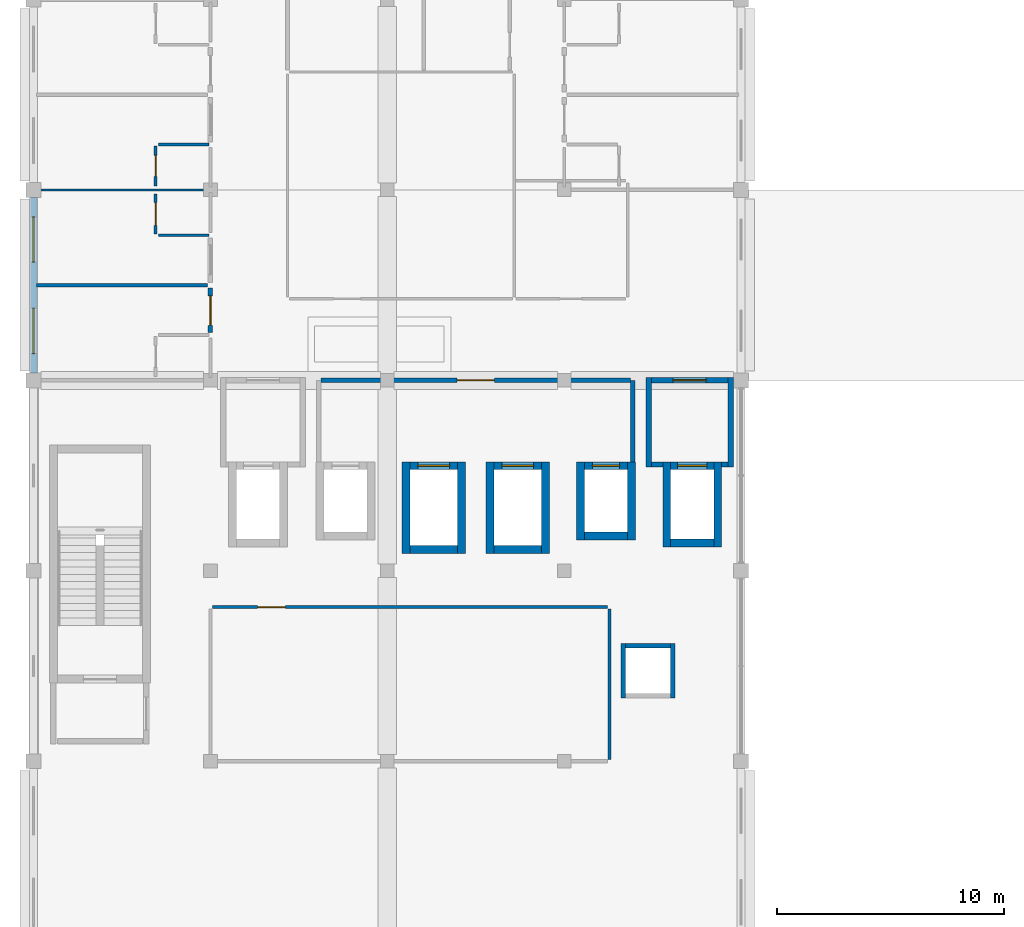
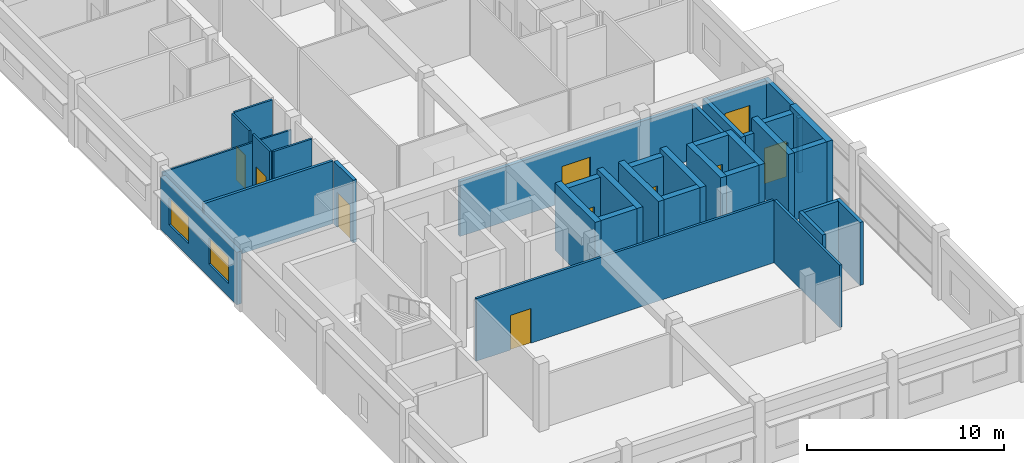
# One storey, part 14 of 32: 36 walls, 10 doors, 2 windows, 12 openings.
"""IFC4 building model written with IfcOpenShell, lengths in metres."""

from ifc_helpers import new_model, si_unit, direction, frame, frame_2d, origin, place, context, subcontext, project, spatial, rectangle, extrude, material, layer, layer_set, type_object, element, fill, save


model = new_model("IFC4")

# Units and contexts
model_context = context("Model", 3, precision=1e-05, world=origin(), true_north=direction((0.0, 1.0)))
body_context = subcontext(model_context, "Body", "Model", "MODEL_VIEW")
ifc_project = project(units=[si_unit("LENGTHUNIT", "METRE"), si_unit("AREAUNIT", "SQUARE_METRE"), si_unit("VOLUMEUNIT", "CUBIC_METRE"), si_unit("PLANEANGLEUNIT", "RADIAN"), si_unit("MASSUNIT", "GRAM", prefix="KILO"), si_unit("THERMODYNAMICTEMPERATUREUNIT", "KELVIN"), si_unit("POWERUNIT", "WATT")], contexts=[model_context])

# Site, building, storey
site_placement = place(None, origin())
site = spatial("IfcSite", under=ifc_project, at=site_placement, CompositionType="ELEMENT")
building_placement = place(site_placement, origin())
building = spatial("IfcBuilding", under=site, at=building_placement, Name="Srebrne Nadtorze General Hospital", CompositionType="ELEMENT")
storey_placement = place(building_placement, frame((0.0, 0.0, 29.699951171875)))
storey = spatial("IfcBuildingStorey", under=building, at=storey_placement, Name="L07", CompositionType="ELEMENT", Elevation=29.699951171875)

# Wall, opening, door
ifc_material_1 = material(Name="Gypsum Healthcare Partition")
ifc_layer_1 = layer(ifc_material_1, 0.139892578125)
ifc_layer_set_1 = layer_set([ifc_layer_1], Name="Gypsum Healthcare Partition")
wall_type_1 = type_object("IfcWallType", Name="Clinical partition 140", PredefinedType="PARTITIONING", material=ifc_layer_set_1)
wall_1_placement = place(storey_placement, frame((31.284912109375, 40.39990234375, 0.0), z_axis=(0.0, 0.0, 1.0), x_axis=(1.0, 0.0, 0.0)))
wall_1 = element("IfcWall", 1, at=wall_1_placement, inside=storey, type_object=wall_type_1, Name="Ward Procedure and Day Lounge wall WL-INT-L07-2436", PredefinedType="PARTITIONING", context=body_context, shape_type="SweptSolid", body=[
    extrude(rectangle(XDim=17.43017578125, YDim=0.139892578125, at=frame_2d((8.715087890625, 0.0))), origin(), (0.0, 0.0, 1.0), 3.880126953125),
])
opening_1_placement = place(wall_1_placement, frame((1.99560546875, 0.0, 0.0)))
opening_1 = element("IfcOpeningElement", 2, at=opening_1_placement, cuts=wall_1, Name="Opening D-L07-0562", PredefinedType="OPENING", context=body_context, shape_type="SweptSolid", body=[
    extrude(rectangle(XDim=1.219970703125, YDim=2.14990234375, at=frame_2d((0.60986328125, 1.074951171875))), frame((0.0, 0.08203125, 0.0), z_axis=(0.0, -1.0, 0.0), x_axis=(1.0, 0.0, 0.0)), (0.0, 0.0, 1.0), 0.163818359375),
])
ifc_material_2 = material(Name="Anodised Aluminium", Category="aluminium")
door_type_1 = type_object("IfcDoorType", Name="Single leaf door 1220x2150", OperationType="NOTDEFINED", PredefinedType="DOOR", material=ifc_material_2)
door_1_placement = place(opening_1_placement, frame((1.219970703125, 0.0, 0.0), z_axis=(0.0, 0.0, 1.0), x_axis=(-1.0, 0.0, 0.0)))
door_1 = element("IfcDoor", 3, at=door_1_placement, inside=storey, type_object=door_type_1, Name="Ward Procedure and Day Lounge door D-L07-0562", OperationType="SINGLE_SWING_RIGHT", OverallHeight=2.14990234375, OverallWidth=1.219970703125, PredefinedType="DOOR", context=body_context, shape_type="SweptSolid", body=[
    extrude(rectangle(XDim=1.219970703125, YDim=2.14990234375, at=frame_2d((0.60986328125, 1.074951171875))), frame((0.0, 0.02490234375, 0.0), z_axis=(0.0, -1.0, 0.0), x_axis=(1.0, 0.0, 0.0)), (0.0, 0.0, 1.0), 0.050048828125),
])
fill(opening_1, door_1)

# Walls
wall_2_placement = place(storey_placement, frame((48.800048828125, 33.68505859375, 0.0), z_axis=(0.0, 0.0, 1.0), x_axis=(0.0, 1.0, 0.0)))
element("IfcWall", 4, at=wall_2_placement, inside=storey, type_object=wall_type_1, Name="Ward Procedure and Day Lounge wall WL-INT-L07-2439", PredefinedType="PARTITIONING", context=body_context, shape_type="SweptSolid", body=[
    extrude(rectangle(XDim=6.6298828125, YDim=0.139892578125, at=frame_2d((3.31494140625, 0.0))), origin(), (0.0, 0.0, 1.0), 3.880126953125),
])
ifc_material_3 = material(Name="Gypsum Healthcare Partition")
ifc_layer_2 = layer(ifc_material_3, 0.159912109375)
ifc_layer_set_2 = layer_set([ifc_layer_2], Name="Gypsum Healthcare Partition")
wall_type_2 = type_object("IfcWallType", Name="Clinical partition 160", PredefinedType="PARTITIONING", material=ifc_layer_set_2)
wall_3_placement = place(storey_placement, frame((23.52001953125, 54.60009765625, 0.0), z_axis=(0.0, 0.0, 1.0), x_axis=(1.0, 0.0, 0.0)))
element("IfcWall", 5, at=wall_3_placement, inside=storey, type_object=wall_type_2, Name="Ward inter-room partition WL-INT-L07-2279", PredefinedType="PARTITIONING", context=body_context, shape_type="SweptSolid", body=[
    extrude(rectangle(XDim=7.56005859375, YDim=0.159912109375, at=frame_2d((3.780029296875, 0.0))), origin(), (0.0, 0.0, 1.0), 3.880126953125),
])
ifc_material_4 = material(Name="Gypsum Healthcare Partition")
ifc_layer_3 = layer(ifc_material_4, 0.199951171875)
ifc_layer_set_3 = layer_set([ifc_layer_3], Name="Gypsum Healthcare Partition")
wall_type_3 = type_object("IfcWallType", Name="Compartment wall 200", PredefinedType="STANDARD", material=ifc_layer_set_3)
wall_4_placement = place(storey_placement, frame((49.820068359375, 46.81005859375, 0.0), z_axis=(0.0, 0.0, 1.0), x_axis=(0.0, 1.0, 0.0)))
element("IfcWall", 6, at=wall_4_placement, inside=storey, type_object=wall_type_3, Name="Lift lobby side wall WL-INT-L07-1157", PredefinedType="STANDARD", context=body_context, shape_type="SweptSolid", body=[
    extrude(rectangle(XDim=3.58984375, YDim=0.199951171875, at=frame_2d((1.794921875, 0.0))), origin(), (0.0, 0.0, 1.0), 3.400146484375),
])

# Wall, opening, door
wall_5_placement = place(storey_placement, frame((36.080078125, 50.39990234375, 0.0), z_axis=(0.0, 0.0, 1.0), x_axis=(1.0, 0.0, 0.0)))
wall_5 = element("IfcWall", 7, at=wall_5_placement, inside=storey, type_object=wall_type_3, Name="Lift lobby corridor wall WL-INT-L07-1158", PredefinedType="STANDARD", context=body_context, shape_type="SweptSolid", body=[
    extrude(rectangle(XDim=13.639892578125, YDim=0.199951171875, at=frame_2d((6.81982421875, 0.0))), origin(), (0.0, 0.0, 1.0), 3.400146484375),
])
opening_2_placement = place(wall_5_placement, frame((5.9951171875, 0.0, 0.0)))
opening_2 = element("IfcOpeningElement", 8, at=opening_2_placement, cuts=wall_5, Name="Opening D-L07-0159", PredefinedType="OPENING", context=body_context, shape_type="SweptSolid", body=[
    extrude(rectangle(XDim=1.64990234375, YDim=2.25, at=frame_2d((0.824951171875, 1.125))), frame((0.0, 0.11181640625, 0.0), z_axis=(0.0, -1.0, 0.0), x_axis=(1.0, 0.0, 0.0)), (0.0, 0.0, 1.0), 0.223876953125),
])
ifc_material_5 = material(Name="Anodised Aluminium", Category="aluminium")
door_type_2 = type_object("IfcDoorType", Name="Double leaf door 1650x2250", OperationType="DOUBLE_DOOR_SINGLE_SWING", PredefinedType="DOOR", material=ifc_material_5)
door_2_placement = place(opening_2_placement, origin())
door_2 = element("IfcDoor", 9, at=door_2_placement, inside=storey, type_object=door_type_2, Name="Lift lobby corridor door D-L07-0159", OperationType="DOUBLE_DOOR_SINGLE_SWING", OverallHeight=2.25, OverallWidth=1.64990234375, PredefinedType="DOOR", context=body_context, shape_type="SweptSolid", body=[
    extrude(rectangle(XDim=1.64990234375, YDim=2.25, at=frame_2d((0.824951171875, 1.125))), frame((0.0, 0.02490234375, 0.0), z_axis=(0.0, -1.0, 0.0), x_axis=(1.0, 0.0, 0.0)), (0.0, 0.0, 1.0), 0.050048828125),
])
fill(opening_2, door_2)

# Walls
for number, where, z_axis, x_axis, name in (
    (10, (49.39990234375, 36.39990234375, 0.0), (0.0, 0.0, 1.0), (0.0, 1.0, 0.0), "MEP riser wall WL-INT-L07-1167"),
    (11, (51.60009765625, 36.39990234375, 0.0), (0.0, 0.0, 1.0), (0.0, 1.0, 0.0), "MEP riser wall WL-INT-L07-1168"),
):
    element("IfcWall", number, at=place(storey_placement, frame(where, z_axis=z_axis, x_axis=x_axis)), inside=storey, type_object=wall_type_3, Name=name, PredefinedType="STANDARD", context=body_context, shape_type="SweptSolid", body=[
        extrude(rectangle(XDim=2.400146484375, YDim=0.199951171875, at=frame_2d((1.2001953125, 0.0))), origin(), (0.0, 0.0, 1.0), 3.900146484375),
    ])
wall_6_placement = place(storey_placement, frame((49.5, 38.699951171875, 0.0), z_axis=(0.0, 0.0, 1.0), x_axis=(1.0, 0.0, 0.0)))
element("IfcWall", 12, at=wall_6_placement, inside=storey, type_object=wall_type_3, Name="MEP riser wall WL-INT-L07-1170", PredefinedType="STANDARD", context=body_context, shape_type="SweptSolid", body=[
    extrude(rectangle(XDim=2.0, YDim=0.199951171875, at=frame_2d((1.0, 0.0))), origin(), (0.0, 0.0, 1.0), 3.900146484375),
])

# Wall, opening, door
wall_7_placement = place(storey_placement, frame((31.199951171875, 52.52001953125, 0.0), z_axis=(0.0, 0.0, 1.0), x_axis=(0.0, 1.0, 0.0)))
wall_7 = element("IfcWall", 13, at=wall_7_placement, inside=storey, type_object=wall_type_3, Name="Ward corridor wall WL-INT-L07-2280", PredefinedType="STANDARD", context=body_context, shape_type="SweptSolid", body=[
    extrude(rectangle(XDim=1.9599609375, YDim=0.199951171875, at=frame_2d((0.97998046875, 0.0))), origin(), (0.0, 0.0, 1.0), 3.880126953125),
])
opening_3_placement = place(wall_7_placement, frame((0.304931640625, 0.0, 0.0)))
opening_3 = element("IfcOpeningElement", 14, at=opening_3_placement, cuts=wall_7, Name="Opening D-L07-0501", PredefinedType="OPENING", context=body_context, shape_type="SweptSolid", body=[
    extrude(rectangle(XDim=1.300048828125, YDim=2.14990234375, at=frame_2d((0.64990234375, 1.074951171875))), frame((0.0, 0.11181640625, 0.0), z_axis=(0.0, -1.0, 0.0), x_axis=(1.0, 0.0, 0.0)), (0.0, 0.0, 1.0), 0.223876953125),
])
ifc_material_6 = material(Name="Anodised Aluminium", Category="aluminium")
door_type_3 = type_object("IfcDoorType", Name="Single leaf door 1300x2150", OperationType="NOTDEFINED", PredefinedType="DOOR", material=ifc_material_6)
door_3_placement = place(opening_3_placement, origin())
door_3 = element("IfcDoor", 15, at=door_3_placement, inside=storey, type_object=door_type_3, Name="Ward patient room door D-L07-0501", OperationType="SINGLE_SWING_RIGHT", OverallHeight=2.14990234375, OverallWidth=1.300048828125, PredefinedType="DOOR", context=body_context, shape_type="SweptSolid", body=[
    extrude(rectangle(XDim=1.300048828125, YDim=2.14990234375, at=frame_2d((0.64990234375, 1.074951171875))), frame((0.0, 0.02490234375, 0.0), z_axis=(0.0, -1.0, 0.0), x_axis=(1.0, 0.0, 0.0)), (0.0, 0.0, 1.0), 0.050048828125),
])
fill(opening_3, door_3)

# Walls
ifc_material_7 = material(Name="Gypsum Healthcare Partition")
ifc_layer_4 = layer(ifc_material_7, 0.239990234375)
ifc_layer_set_4 = layer_set([ifc_layer_4], Name="Gypsum Healthcare Partition")
wall_type_4 = type_object("IfcWallType", Name="Corridor fire wall 240", PredefinedType="STANDARD", material=ifc_layer_set_4)
for number, where, z_axis, x_axis, name in (
    (16, (50.530029296875, 46.570068359375, 0.0), (0.0, 0.0, 1.0), (0.0, 1.0, 0.0), "FF lift lobby wall WL-INT-L07-1151"),
    (17, (54.139892578125, 46.570068359375, 0.0), (0.0, 0.0, 1.0), (0.0, 1.0, 0.0), "FF lift lobby wall WL-INT-L07-1152"),
):
    element("IfcWall", number, at=place(storey_placement, frame(where, z_axis=z_axis, x_axis=x_axis)), inside=storey, type_object=wall_type_4, Name=name, PredefinedType="STANDARD", context=body_context, shape_type="SweptSolid", body=[
        extrude(rectangle(XDim=3.949951171875, YDim=0.239990234375, at=frame_2d((1.97509765625, 0.0))), origin(), (0.0, 0.0, 1.0), 3.400146484375),
    ])
wall_8_placement = place(storey_placement, frame((50.64990234375, 46.68994140625, 0.0), z_axis=(0.0, 0.0, 1.0), x_axis=(1.0, 0.0, 0.0)))
element("IfcWall", 18, at=wall_8_placement, inside=storey, type_object=wall_type_4, Name="FF lift lobby return wall WL-INT-L07-1153", PredefinedType="STANDARD", context=body_context, shape_type="SweptSolid", body=[
    extrude(rectangle(XDim=0.5, YDim=0.239990234375, at=frame_2d((0.25, 0.0))), origin(), (0.0, 0.0, 1.0), 3.400146484375),
])
wall_9_placement = place(storey_placement, frame((53.75, 46.68994140625, 0.0), z_axis=(0.0, 0.0, 1.0), x_axis=(1.0, 0.0, 0.0)))
element("IfcWall", 19, at=wall_9_placement, inside=storey, type_object=wall_type_4, Name="FF lift lobby return wall WL-INT-L07-1154", PredefinedType="STANDARD", context=body_context, shape_type="SweptSolid", body=[
    extrude(rectangle(XDim=0.27001953125, YDim=0.239990234375, at=frame_2d((0.135009765625, 0.0))), origin(), (0.0, 0.0, 1.0), 3.400146484375),
])

# Wall, opening, door
wall_10_placement = place(storey_placement, frame((50.64990234375, 50.39990234375, 0.0), z_axis=(0.0, 0.0, 1.0), x_axis=(1.0, 0.0, 0.0)))
wall_10 = element("IfcWall", 20, at=wall_10_placement, inside=storey, type_object=wall_type_4, Name="FF lift lobby front wall WL-INT-L07-1155", PredefinedType="STANDARD", context=body_context, shape_type="SweptSolid", body=[
    extrude(rectangle(XDim=3.3701171875, YDim=0.239990234375, at=frame_2d((1.68505859375, 0.0))), origin(), (0.0, 0.0, 1.0), 3.400146484375),
])
opening_4_placement = place(wall_10_placement, frame((0.9599609375, 0.0, 0.0)))
opening_4 = element("IfcOpeningElement", 21, at=opening_4_placement, cuts=wall_10, Name="Opening D-L07-0158", PredefinedType="OPENING", context=body_context, shape_type="SweptSolid", body=[
    extrude(rectangle(XDim=1.449951171875, YDim=2.199951171875, at=frame_2d((0.72509765625, 1.10009765625))), frame((0.0, 0.1318359375, 0.0), z_axis=(0.0, -1.0, 0.0), x_axis=(1.0, 0.0, 0.0)), (0.0, 0.0, 1.0), 0.263916015625),
])
ifc_material_8 = material(Name="Anodised Aluminium", Category="aluminium")
door_type_4 = type_object("IfcDoorType", Name="Double leaf door 1450x2200", OperationType="DOUBLE_DOOR_SINGLE_SWING", PredefinedType="DOOR", material=ifc_material_8)
door_4_placement = place(opening_4_placement, origin())
door_4 = element("IfcDoor", 22, at=door_4_placement, inside=storey, type_object=door_type_4, Name="Firefighting lift lobby door D-L07-0158", OperationType="DOUBLE_DOOR_SINGLE_SWING", OverallHeight=2.199951171875, OverallWidth=1.449951171875, PredefinedType="DOOR", context=body_context, shape_type="SweptSolid", body=[
    extrude(rectangle(XDim=1.449951171875, YDim=2.199951171875, at=frame_2d((0.72509765625, 1.10009765625))), frame((0.0, 0.02490234375, 0.0), z_axis=(0.0, -1.0, 0.0), x_axis=(1.0, 0.0, 0.0)), (0.0, 0.0, 1.0), 0.050048828125),
])
fill(opening_4, door_4)

# Wall
ifc_material_9 = material(Name="Gypsum Healthcare Partition")
ifc_layer_5 = layer(ifc_material_9, 0.1201171875)
ifc_layer_set_5 = layer_set([ifc_layer_5], Name="Gypsum Healthcare Partition")
wall_type_5 = type_object("IfcWallType", Name="En-suite partition 120", PredefinedType="PARTITIONING", material=ifc_layer_set_5)
wall_11_placement = place(storey_placement, frame((28.89990234375, 56.800048828125, 0.0), z_axis=(0.0, 0.0, 1.0), x_axis=(1.0, 0.0, 0.0)))
element("IfcWall", 23, at=wall_11_placement, inside=storey, type_object=wall_type_5, Name="En-suite wet wall WL-INT-L07-2287", PredefinedType="PARTITIONING", context=body_context, shape_type="SweptSolid", body=[
    extrude(rectangle(XDim=2.239990234375, YDim=0.1201171875, at=frame_2d((1.1201171875, 0.0))), origin(), (0.0, 0.0, 1.0), 3.880126953125),
])

# Wall, opening, door
wall_12_placement = place(storey_placement, frame((28.780029296875, 56.860107421875, 0.0), z_axis=(0.0, 0.0, 1.0), x_axis=(0.0, 1.0, 0.0)))
wall_12 = element("IfcWall", 24, at=wall_12_placement, inside=storey, type_object=wall_type_5, Name="En-suite wet wall WL-INT-L07-2288", PredefinedType="PARTITIONING", context=body_context, shape_type="SweptSolid", body=[
    extrude(rectangle(XDim=1.760009765625, YDim=0.1201171875, at=frame_2d((0.8798828125, 0.0))), origin(), (0.0, 0.0, 1.0), 3.880126953125),
])
opening_5_placement = place(wall_12_placement, frame((0.3798828125, 0.0, 0.0)))
opening_5 = element("IfcOpeningElement", 25, at=opening_5_placement, cuts=wall_12, Name="Opening D-L07-0504", PredefinedType="OPENING", context=body_context, shape_type="SweptSolid", body=[
    extrude(rectangle(XDim=1.0, YDim=2.10009765625, at=frame_2d((0.5, 1.050048828125))), frame((0.0, 0.072021484375, 0.0), z_axis=(0.0, -1.0, 0.0), x_axis=(1.0, 0.0, 0.0)), (0.0, 0.0, 1.0), 0.14404296875),
])
ifc_material_10 = material(Name="Anodised Aluminium", Category="aluminium")
door_type_5 = type_object("IfcDoorType", Name="Single leaf door 1000x2100", OperationType="NOTDEFINED", PredefinedType="DOOR", material=ifc_material_10)
door_5_placement = place(opening_5_placement, frame((1.0, 0.0, 0.0), z_axis=(0.0, 0.0, 1.0), x_axis=(-1.0, 0.0, 0.0)))
door_5 = element("IfcDoor", 26, at=door_5_placement, inside=storey, type_object=door_type_5, Name="En-suite bathroom door D-L07-0504", OperationType="SINGLE_SWING_LEFT", OverallHeight=2.10009765625, OverallWidth=1.0, PredefinedType="DOOR", context=body_context, shape_type="SweptSolid", body=[
    extrude(rectangle(XDim=1.0, YDim=2.10009765625, at=frame_2d((0.5, 1.050048828125))), frame((0.0, 0.02490234375, 0.0), z_axis=(0.0, -1.0, 0.0), x_axis=(1.0, 0.0, 0.0)), (0.0, 0.0, 1.0), 0.050048828125),
])
fill(opening_5, door_5)

# Wall
wall_13_placement = place(storey_placement, frame((28.89990234375, 60.800048828125, 0.0), z_axis=(0.0, 0.0, 1.0), x_axis=(1.0, 0.0, 0.0)))
element("IfcWall", 27, at=wall_13_placement, inside=storey, type_object=wall_type_5, Name="En-suite wet wall WL-INT-L07-2292", PredefinedType="PARTITIONING", context=body_context, shape_type="SweptSolid", body=[
    extrude(rectangle(XDim=2.239990234375, YDim=0.1201171875, at=frame_2d((1.1201171875, 0.0))), origin(), (0.0, 0.0, 1.0), 3.880126953125),
])

# Wall, opening, door
wall_14_placement = place(storey_placement, frame((28.780029296875, 58.97998046875, 0.0), z_axis=(0.0, 0.0, 1.0), x_axis=(0.0, 1.0, 0.0)))
wall_14 = element("IfcWall", 28, at=wall_14_placement, inside=storey, type_object=wall_type_5, Name="En-suite wet wall WL-INT-L07-2293", PredefinedType="PARTITIONING", context=body_context, shape_type="SweptSolid", body=[
    extrude(rectangle(XDim=1.760009765625, YDim=0.1201171875, at=frame_2d((0.8798828125, 0.0))), origin(), (0.0, 0.0, 1.0), 3.880126953125),
])
opening_6_placement = place(wall_14_placement, frame((0.419921875, 0.0, 0.0)))
opening_6 = element("IfcOpeningElement", 29, at=opening_6_placement, cuts=wall_14, Name="Opening D-L07-0506", PredefinedType="OPENING", context=body_context, shape_type="SweptSolid", body=[
    extrude(rectangle(XDim=0.919921875, YDim=2.080078125, at=frame_2d((0.4599609375, 1.0400390625))), frame((0.0, 0.072021484375, 0.0), z_axis=(0.0, -1.0, 0.0), x_axis=(1.0, 0.0, 0.0)), (0.0, 0.0, 1.0), 0.14404296875),
])
ifc_material_11 = material(Name="Anodised Aluminium", Category="aluminium")
door_type_6 = type_object("IfcDoorType", Name="Single leaf door 920x2080", OperationType="NOTDEFINED", PredefinedType="DOOR", material=ifc_material_11)
door_6_placement = place(opening_6_placement, frame((0.919921875, 0.0, 0.0), z_axis=(0.0, 0.0, 1.0), x_axis=(-1.0, 0.0, 0.0)))
door_6 = element("IfcDoor", 30, at=door_6_placement, inside=storey, type_object=door_type_6, Name="En-suite bathroom door D-L07-0506", OperationType="SINGLE_SWING_LEFT", OverallHeight=2.080078125, OverallWidth=0.919921875, PredefinedType="DOOR", context=body_context, shape_type="SweptSolid", body=[
    extrude(rectangle(XDim=0.919921875, YDim=2.080078125, at=frame_2d((0.4599609375, 1.0400390625))), frame((0.0, 0.02490234375, 0.0), z_axis=(0.0, -1.0, 0.0), x_axis=(1.0, 0.0, 0.0)), (0.0, 0.0, 1.0), 0.050048828125),
])
fill(opening_6, door_6)

# Walls
ifc_material_12 = material(Name="Gypsum Healthcare Partition")
ifc_layer_6 = layer(ifc_material_12, 0.10009765625)
ifc_layer_set_6 = layer_set([ifc_layer_6], Name="Gypsum Healthcare Partition")
wall_type_6 = type_object("IfcWallType", Name="Shaft lining wall 100", PredefinedType="PARTITIONING", material=ifc_layer_set_6)
wall_15_placement = place(storey_placement, frame((23.52001953125, 58.800048828125, 0.0), z_axis=(0.0, 0.0, 1.0), x_axis=(1.0, 0.0, 0.0)))
element("IfcWall", 31, at=wall_15_placement, inside=storey, type_object=wall_type_6, Name="Ward inter-room partition WL-INT-L07-2284", PredefinedType="PARTITIONING", context=body_context, shape_type="SweptSolid", body=[
    extrude(rectangle(XDim=7.56005859375, YDim=0.10009765625, at=frame_2d((3.780029296875, 0.0))), origin(), (0.0, 0.0, 1.0), 3.25),
])
ifc_material_13 = material(Name="Concrete C40/50", Category="concrete")
ifc_layer_7 = layer(ifc_material_13, 0.35009765625)
ifc_layer_set_7 = layer_set([ifc_layer_7], Name="Concrete C40/50")
wall_type_7 = type_object("IfcWallType", Name="Shear core wall 350", PredefinedType="SHEAR", material=ifc_layer_set_7)
for number, where, z_axis, x_axis, name in (
    (32, (39.824951171875, 42.760009765625, 0.0), (0.0, 0.0, 1.0), (0.0, 1.0, 0.0), "Lift shaft wall LS-01 WL-INT-L07-0574"),
    (33, (42.27490234375, 42.760009765625, 0.0), (0.0, 0.0, 1.0), (0.0, 1.0, 0.0), "Lift shaft wall LS-01 WL-INT-L07-0575"),
):
    element("IfcWall", number, at=place(storey_placement, frame(where, z_axis=z_axis, x_axis=x_axis)), inside=storey, type_object=wall_type_7, Name=name, PredefinedType="SHEAR", context=body_context, shape_type="SweptSolid", body=[
        extrude(rectangle(XDim=4.050048828125, YDim=0.35009765625, at=frame_2d((2.02490234375, 0.0))), origin(), (0.0, 0.0, 1.0), 4.199951171875),
    ])
wall_16_placement = place(storey_placement, frame((40.0, 42.93505859375, 0.0), z_axis=(0.0, 0.0, 1.0), x_axis=(1.0, 0.0, 0.0)))
element("IfcWall", 34, at=wall_16_placement, inside=storey, type_object=wall_type_7, Name="Lift shaft back wall LS-01 WL-INT-L07-0576", PredefinedType="SHEAR", context=body_context, shape_type="SweptSolid", body=[
    extrude(rectangle(XDim=2.10009765625, YDim=0.35009765625, at=frame_2d((1.050048828125, 0.0))), origin(), (0.0, 0.0, 1.0), 4.199951171875),
])

# Wall, opening, door
wall_17_placement = place(storey_placement, frame((40.0, 46.635009765625, 0.0), z_axis=(0.0, 0.0, 1.0), x_axis=(1.0, 0.0, 0.0)))
wall_17 = element("IfcWall", 35, at=wall_17_placement, inside=storey, type_object=wall_type_7, Name="Lift shaft front wall LS-01 WL-INT-L07-0577", PredefinedType="SHEAR", context=body_context, shape_type="SweptSolid", body=[
    extrude(rectangle(XDim=2.10009765625, YDim=0.35009765625, at=frame_2d((1.050048828125, 0.0))), origin(), (0.0, 0.0, 1.0), 3.900146484375),
])
opening_7_placement = place(wall_17_placement, frame((0.35009765625, 0.0, 0.0)))
opening_7 = element("IfcOpeningElement", 36, at=opening_7_placement, cuts=wall_17, Name="Opening LD-L07-028", PredefinedType="OPENING", context=body_context, shape_type="SweptSolid", body=[
    extrude(rectangle(XDim=1.39990234375, YDim=2.199951171875, at=frame_2d((0.699951171875, 1.10009765625))), frame((0.0, 0.18701171875, 0.0), z_axis=(0.0, -1.0, 0.0), x_axis=(1.0, 0.0, 0.0)), (0.0, 0.0, 1.0), 0.3740234375),
])
ifc_material_14 = material(Name="Anodised Aluminium", Category="aluminium")
door_type_7 = type_object("IfcDoorType", Name="Sliding lift door 1400x2200", OperationType="SLIDING_TO_LEFT", PredefinedType="DOOR", material=ifc_material_14)
door_7_placement = place(opening_7_placement, origin())
door_7 = element("IfcDoor", 37, at=door_7_placement, inside=storey, type_object=door_type_7, Name="Lift Landing Door LD-L07-028", OperationType="SLIDING_TO_LEFT", OverallHeight=2.199951171875, OverallWidth=1.39990234375, PredefinedType="DOOR", context=body_context, shape_type="SweptSolid", body=[
    extrude(rectangle(XDim=1.39990234375, YDim=2.199951171875, at=frame_2d((0.699951171875, 1.10009765625))), frame((0.0, 0.02490234375, 0.0), z_axis=(0.0, -1.0, 0.0), x_axis=(1.0, 0.0, 0.0)), (0.0, 0.0, 1.0), 0.050048828125),
])
fill(opening_7, door_7)

# Walls
for number, where, z_axis, x_axis, name in (
    (38, (43.52490234375, 42.760009765625, 0.0), (0.0, 0.0, 1.0), (0.0, 1.0, 0.0), "Lift shaft wall LS-02 WL-INT-L07-0614"),
    (39, (45.97509765625, 42.760009765625, 0.0), (0.0, 0.0, 1.0), (0.0, 1.0, 0.0), "Lift shaft wall LS-02 WL-INT-L07-0615"),
):
    element("IfcWall", number, at=place(storey_placement, frame(where, z_axis=z_axis, x_axis=x_axis)), inside=storey, type_object=wall_type_7, Name=name, PredefinedType="SHEAR", context=body_context, shape_type="SweptSolid", body=[
        extrude(rectangle(XDim=4.050048828125, YDim=0.35009765625, at=frame_2d((2.02490234375, 0.0))), origin(), (0.0, 0.0, 1.0), 4.199951171875),
    ])
wall_18_placement = place(storey_placement, frame((43.699951171875, 42.93505859375, 0.0), z_axis=(0.0, 0.0, 1.0), x_axis=(1.0, 0.0, 0.0)))
element("IfcWall", 40, at=wall_18_placement, inside=storey, type_object=wall_type_7, Name="Lift shaft back wall LS-02 WL-INT-L07-0616", PredefinedType="SHEAR", context=body_context, shape_type="SweptSolid", body=[
    extrude(rectangle(XDim=2.10009765625, YDim=0.35009765625, at=frame_2d((1.050048828125, 0.0))), origin(), (0.0, 0.0, 1.0), 4.199951171875),
])

# Wall, opening, door
wall_19_placement = place(storey_placement, frame((43.699951171875, 46.635009765625, 0.0), z_axis=(0.0, 0.0, 1.0), x_axis=(1.0, 0.0, 0.0)))
wall_19 = element("IfcWall", 41, at=wall_19_placement, inside=storey, type_object=wall_type_7, Name="Lift shaft front wall LS-02 WL-INT-L07-0617", PredefinedType="SHEAR", context=body_context, shape_type="SweptSolid", body=[
    extrude(rectangle(XDim=2.10009765625, YDim=0.35009765625, at=frame_2d((1.050048828125, 0.0))), origin(), (0.0, 0.0, 1.0), 3.900146484375),
])
opening_8_placement = place(wall_19_placement, frame((0.35009765625, 0.0, 0.0)))
opening_8 = element("IfcOpeningElement", 42, at=opening_8_placement, cuts=wall_19, Name="Opening LD-L07-038", PredefinedType="OPENING", context=body_context, shape_type="SweptSolid", body=[
    extrude(rectangle(XDim=1.39990234375, YDim=2.199951171875, at=frame_2d((0.699951171875, 1.10009765625))), frame((0.0, 0.18701171875, 0.0), z_axis=(0.0, -1.0, 0.0), x_axis=(1.0, 0.0, 0.0)), (0.0, 0.0, 1.0), 0.3740234375),
])
door_8_placement = place(opening_8_placement, origin())
door_8 = element("IfcDoor", 43, at=door_8_placement, inside=storey, type_object=door_type_7, Name="Lift Landing Door LD-L07-038", OperationType="SLIDING_TO_LEFT", OverallHeight=2.199951171875, OverallWidth=1.39990234375, PredefinedType="DOOR", context=body_context, shape_type="SweptSolid", body=[
    extrude(rectangle(XDim=1.39990234375, YDim=2.199951171875, at=frame_2d((0.699951171875, 1.10009765625))), frame((0.0, 0.02490234375, 0.0), z_axis=(0.0, -1.0, 0.0), x_axis=(1.0, 0.0, 0.0)), (0.0, 0.0, 1.0), 0.050048828125),
])
fill(opening_8, door_8)

# Walls
for number, where, z_axis, x_axis, name in (
    (44, (47.52490234375, 43.360107421875, 0.0), (0.0, 0.0, 1.0), (0.0, 1.0, 0.0), "Lift shaft wall LP-02 WL-INT-L07-0654"),
    (45, (49.77490234375, 43.360107421875, 0.0), (0.0, 0.0, 1.0), (0.0, 1.0, 0.0), "Lift shaft wall LP-02 WL-INT-L07-0655"),
):
    element("IfcWall", number, at=place(storey_placement, frame(where, z_axis=z_axis, x_axis=x_axis)), inside=storey, type_object=wall_type_7, Name=name, PredefinedType="SHEAR", context=body_context, shape_type="SweptSolid", body=[
        extrude(rectangle(XDim=3.449951171875, YDim=0.35009765625, at=frame_2d((1.72509765625, 0.0))), origin(), (0.0, 0.0, 1.0), 3.900146484375),
    ])
wall_20_placement = place(storey_placement, frame((47.699951171875, 43.534912109375, 0.0), z_axis=(0.0, 0.0, 1.0), x_axis=(1.0, 0.0, 0.0)))
element("IfcWall", 46, at=wall_20_placement, inside=storey, type_object=wall_type_7, Name="Lift shaft back wall LP-02 WL-INT-L07-0656", PredefinedType="SHEAR", context=body_context, shape_type="SweptSolid", body=[
    extrude(rectangle(XDim=1.900146484375, YDim=0.35009765625, at=frame_2d((0.9501953125, 0.0))), origin(), (0.0, 0.0, 1.0), 3.900146484375),
])

# Wall, opening, door
wall_21_placement = place(storey_placement, frame((47.699951171875, 46.635009765625, 0.0), z_axis=(0.0, 0.0, 1.0), x_axis=(1.0, 0.0, 0.0)))
wall_21 = element("IfcWall", 47, at=wall_21_placement, inside=storey, type_object=wall_type_7, Name="Lift shaft front wall LP-02 WL-INT-L07-0657", PredefinedType="SHEAR", context=body_context, shape_type="SweptSolid", body=[
    extrude(rectangle(XDim=1.900146484375, YDim=0.35009765625, at=frame_2d((0.9501953125, 0.0))), origin(), (0.0, 0.0, 1.0), 3.900146484375),
])
opening_9_placement = place(wall_21_placement, frame((0.35009765625, 0.0, 0.0)))
opening_9 = element("IfcOpeningElement", 48, at=opening_9_placement, cuts=wall_21, Name="Opening LD-L07-048", PredefinedType="OPENING", context=body_context, shape_type="SweptSolid", body=[
    extrude(rectangle(XDim=1.199951171875, YDim=2.199951171875, at=frame_2d((0.60009765625, 1.10009765625))), frame((0.0, 0.18701171875, 0.0), z_axis=(0.0, -1.0, 0.0), x_axis=(1.0, 0.0, 0.0)), (0.0, 0.0, 1.0), 0.3740234375),
])
ifc_material_15 = material(Name="Anodised Aluminium", Category="aluminium")
door_type_8 = type_object("IfcDoorType", Name="Sliding lift door 1200x2200", OperationType="SLIDING_TO_LEFT", PredefinedType="DOOR", material=ifc_material_15)
door_9_placement = place(opening_9_placement, origin())
door_9 = element("IfcDoor", 49, at=door_9_placement, inside=storey, type_object=door_type_8, Name="Lift Landing Door LD-L07-048", OperationType="SLIDING_TO_LEFT", OverallHeight=2.199951171875, OverallWidth=1.199951171875, PredefinedType="DOOR", context=body_context, shape_type="SweptSolid", body=[
    extrude(rectangle(XDim=1.199951171875, YDim=2.199951171875, at=frame_2d((0.60009765625, 1.10009765625))), frame((0.0, 0.02490234375, 0.0), z_axis=(0.0, -1.0, 0.0), x_axis=(1.0, 0.0, 0.0)), (0.0, 0.0, 1.0), 0.050048828125),
])
fill(opening_9, door_9)

# Walls
for number, where, z_axis, x_axis, name in (
    (50, (51.324951171875, 43.06005859375, 0.0), (0.0, 0.0, 1.0), (0.0, 1.0, 0.0), "Lift shaft wall FL-02 WL-INT-L07-0690"),
    (51, (53.574951171875, 43.06005859375, 0.0), (0.0, 0.0, 1.0), (0.0, 1.0, 0.0), "Lift shaft wall FL-02 WL-INT-L07-0691"),
):
    element("IfcWall", number, at=place(storey_placement, frame(where, z_axis=z_axis, x_axis=x_axis)), inside=storey, type_object=wall_type_7, Name=name, PredefinedType="SHEAR", context=body_context, shape_type="SweptSolid", body=[
        extrude(rectangle(XDim=3.75, YDim=0.35009765625, at=frame_2d((1.875, 0.0))), origin(), (0.0, 0.0, 1.0), 4.199951171875),
    ])
wall_22_placement = place(storey_placement, frame((51.5, 43.235107421875, 0.0), z_axis=(0.0, 0.0, 1.0), x_axis=(1.0, 0.0, 0.0)))
element("IfcWall", 52, at=wall_22_placement, inside=storey, type_object=wall_type_7, Name="Lift shaft back wall FL-02 WL-INT-L07-0692", PredefinedType="SHEAR", context=body_context, shape_type="SweptSolid", body=[
    extrude(rectangle(XDim=1.89990234375, YDim=0.35009765625, at=frame_2d((0.949951171875, 0.0))), origin(), (0.0, 0.0, 1.0), 4.199951171875),
])

# Wall, opening, door
wall_23_placement = place(storey_placement, frame((51.5, 46.635009765625, 0.0), z_axis=(0.0, 0.0, 1.0), x_axis=(1.0, 0.0, 0.0)))
wall_23 = element("IfcWall", 53, at=wall_23_placement, inside=storey, type_object=wall_type_7, Name="Lift shaft front wall FL-02 WL-INT-L07-0693", PredefinedType="SHEAR", context=body_context, shape_type="SweptSolid", body=[
    extrude(rectangle(XDim=1.89990234375, YDim=0.35009765625, at=frame_2d((0.949951171875, 0.0))), origin(), (0.0, 0.0, 1.0), 3.900146484375),
])
opening_10_placement = place(wall_23_placement, frame((0.300048828125, 0.0, 0.0)))
opening_10 = element("IfcOpeningElement", 54, at=opening_10_placement, cuts=wall_23, Name="Opening LD-L07-057", PredefinedType="OPENING", context=body_context, shape_type="SweptSolid", body=[
    extrude(rectangle(XDim=1.300048828125, YDim=2.199951171875, at=frame_2d((0.64990234375, 1.10009765625))), frame((0.0, 0.18701171875, 0.0), z_axis=(0.0, -1.0, 0.0), x_axis=(1.0, 0.0, 0.0)), (0.0, 0.0, 1.0), 0.3740234375),
])
ifc_material_16 = material(Name="Anodised Aluminium", Category="aluminium")
door_type_9 = type_object("IfcDoorType", Name="Sliding lift door 1300x2200", OperationType="SLIDING_TO_LEFT", PredefinedType="DOOR", material=ifc_material_16)
door_10_placement = place(opening_10_placement, origin())
door_10 = element("IfcDoor", 55, at=door_10_placement, inside=storey, type_object=door_type_9, Name="Lift Landing Door LD-L07-057", OperationType="SLIDING_TO_LEFT", OverallHeight=2.199951171875, OverallWidth=1.300048828125, PredefinedType="DOOR", context=body_context, shape_type="SweptSolid", body=[
    extrude(rectangle(XDim=1.300048828125, YDim=2.199951171875, at=frame_2d((0.64990234375, 1.10009765625))), frame((0.0, 0.02490234375, 0.0), z_axis=(0.0, -1.0, 0.0), x_axis=(1.0, 0.0, 0.0)), (0.0, 0.0, 1.0), 0.050048828125),
])
fill(opening_10, door_10)

# Wall, openings, windows
ifc_material_17 = material(Name="Concrete C35/45 precast", Category="concrete")
ifc_layer_8 = layer(ifc_material_17, 0.280029296875)
ifc_layer_set_8 = layer_set([ifc_layer_8], Name="Concrete C35/45 precast")
wall_type_8 = type_object("IfcWallType", Name="Spandrel wall 280", PredefinedType="STANDARD", material=ifc_layer_set_8)
wall_24_placement = place(storey_placement, frame((23.39990234375, 50.72509765625, 0.0), z_axis=(0.0, 0.0, 1.0), x_axis=(0.0, 1.0, 0.0)))
wall_24 = element("IfcWall", 56, at=wall_24_placement, inside=storey, type_object=wall_type_8, Name="Exterior wall WL-ENV-L07-0529", PredefinedType="STANDARD", context=body_context, shape_type="SweptSolid", body=[
    extrude(rectangle(XDim=7.75, YDim=0.280029296875, at=frame_2d((3.875, 0.0))), origin(), (0.0, 0.0, 1.0), 3.25),
])
opening_11_placement = place(wall_24_placement, frame((0.85888671875, 0.0, 0.800048828125)))
opening_11 = element("IfcOpeningElement", 57, at=opening_11_placement, cuts=wall_24, Name="Opening WN-L07-0888", PredefinedType="OPENING", context=body_context, shape_type="SweptSolid", body=[
    extrude(rectangle(XDim=2.0, YDim=1.64990234375, at=frame_2d((1.0, 0.824951171875))), frame((0.0, 0.15185546875, 0.0), z_axis=(0.0, -1.0, 0.0), x_axis=(1.0, 0.0, 0.0)), (0.0, 0.0, 1.0), 0.303955078125),
])
opening_12_placement = place(wall_24_placement, frame((4.89111328125, 0.0, 0.800048828125)))
opening_12 = element("IfcOpeningElement", 58, at=opening_12_placement, cuts=wall_24, Name="Opening WN-L07-0889", PredefinedType="OPENING", context=body_context, shape_type="SweptSolid", body=[
    extrude(rectangle(XDim=2.0, YDim=1.64990234375, at=frame_2d((1.0, 0.824951171875))), frame((0.0, 0.15185546875, 0.0), z_axis=(0.0, -1.0, 0.0), x_axis=(1.0, 0.0, 0.0)), (0.0, 0.0, 1.0), 0.303955078125),
])
ifc_material_18 = material(Name="Triple Low-E Glazing", Category="glass")
window_type = type_object("IfcWindowType", Name="Punched clinical window 2000x1650", PartitioningType="DOUBLE_PANEL_VERTICAL", PredefinedType="WINDOW", material=ifc_material_18)
window_1_placement = place(opening_11_placement, origin())
window_1 = element("IfcWindow", 59, at=window_1_placement, inside=storey, type_object=window_type, Name="Clinical window WN-L07-0888", OverallHeight=1.64990234375, OverallWidth=2.0, PartitioningType="DOUBLE_PANEL_VERTICAL", PredefinedType="WINDOW", context=body_context, shape_type="SweptSolid", body=[
    extrude(rectangle(XDim=2.0, YDim=1.64990234375, at=frame_2d((1.0, 0.824951171875))), frame((0.0, 0.030029296875, 0.0), z_axis=(0.0, -1.0, 0.0), x_axis=(1.0, 0.0, 0.0)), (0.0, 0.0, 1.0), 0.06005859375),
])
fill(opening_11, window_1)
window_2_placement = place(opening_12_placement, origin())
window_2 = element("IfcWindow", 60, at=window_2_placement, inside=storey, type_object=window_type, Name="Clinical window WN-L07-0889", OverallHeight=1.64990234375, OverallWidth=2.0, PartitioningType="DOUBLE_PANEL_VERTICAL", PredefinedType="WINDOW", context=body_context, shape_type="SweptSolid", body=[
    extrude(rectangle(XDim=2.0, YDim=1.64990234375, at=frame_2d((1.0, 0.824951171875))), frame((0.0, 0.030029296875, 0.0), z_axis=(0.0, -1.0, 0.0), x_axis=(1.0, 0.0, 0.0)), (0.0, 0.0, 1.0), 0.06005859375),
])
fill(opening_12, window_2)

save(model, "model.ifc")
